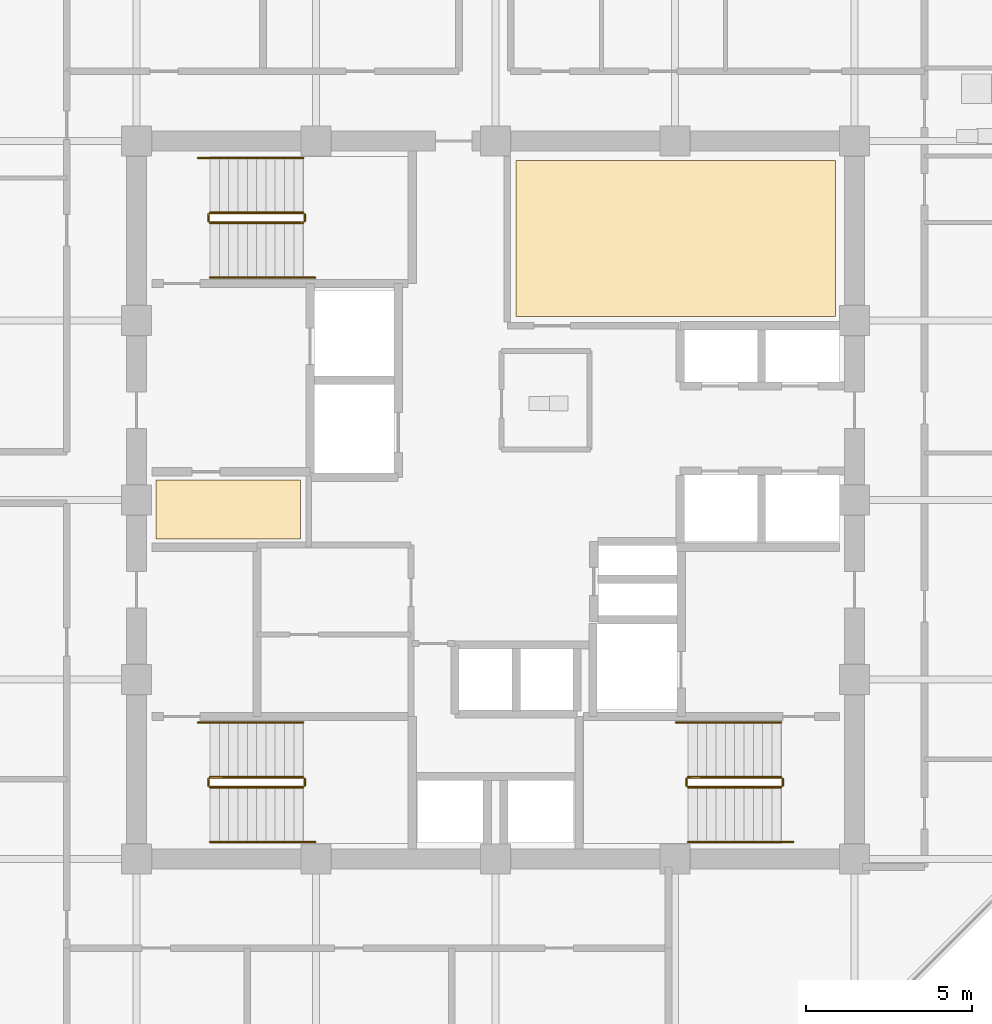
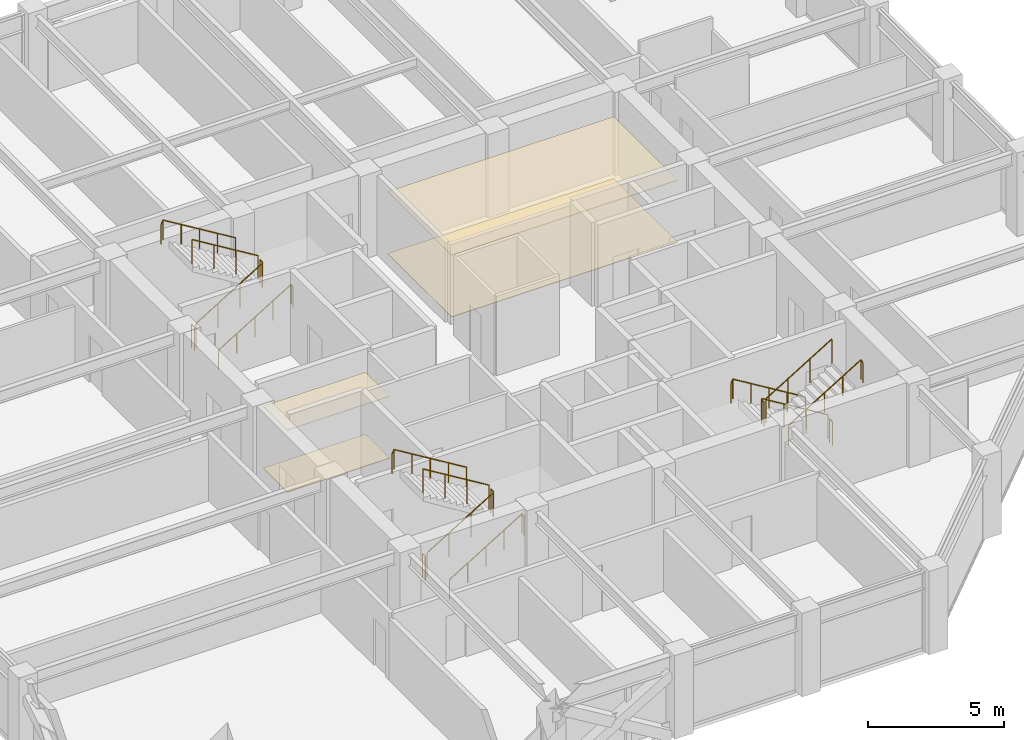
# One storey, part 31 of 32: 18 railings, 4 coverings.
"""IFC4 building model written with IfcOpenShell, lengths in metres."""

from ifc_helpers import new_model, si_unit, direction, frame, origin, origin_2d, place, context, subcontext, project, spatial, polyline, circle, outline, extrude, material, layer, layer_set, type_object, element, save


model = new_model("IFC4")

# Units and contexts
model_context = context("Model", 3, precision=1e-05, world=origin(), true_north=direction((0.0, 1.0)))
body_context = subcontext(model_context, "Body", "Model", "MODEL_VIEW")
ifc_project = project(units=[si_unit("LENGTHUNIT", "METRE"), si_unit("AREAUNIT", "SQUARE_METRE"), si_unit("VOLUMEUNIT", "CUBIC_METRE"), si_unit("PLANEANGLEUNIT", "RADIAN"), si_unit("MASSUNIT", "GRAM", prefix="KILO")], contexts=[model_context])

# Site, building, storey
site_placement = place(None, origin())
site = spatial("IfcSite", under=ifc_project, at=site_placement, CompositionType="ELEMENT")
building_placement = place(site_placement, origin())
building = spatial("IfcBuilding", under=site, at=building_placement, Name="Surkhivell Harbour Commons", CompositionType="ELEMENT")
storey_placement = place(building_placement, frame((0.0, 0.0, 216.0)))
storey = spatial("IfcBuildingStorey", under=building, at=storey_placement, Name="L56", CompositionType="ELEMENT", Elevation=216.0)

# Coverings
ifc_material_1 = material(Name="Perforated acoustic mineral-fibre ceiling tile", Category="other")
ifc_layer_1 = layer(ifc_material_1, 0.02490234375)
ifc_layer_set_1 = layer_set([ifc_layer_1], Name="Perforated acoustic mineral-fibre ceiling tile")
covering_type_1 = type_object("IfcCoveringType", Name="COV-CEIL-AC", PredefinedType="CEILING", material=ifc_layer_set_1)
covering_1_placement = place(storey_placement, frame((0.0, 0.0, 2.77490234375)))
element("IfcCovering", 1, at=covering_1_placement, inside=storey, type_object=covering_type_1, Name="L56 Suspended Acoustic Ceiling 1", PredefinedType="CEILING", context=body_context, shape_type="SweptSolid", body=[
    extrude(outline(polyline([(-10.219970703125, -1.179931640625), (-5.8701171875, -1.179931640625), (-5.8701171875, 0.60009765625), (-10.219970703125, 0.60009765625), (-10.219970703125, -1.179931640625)])), origin(), (0.0, 0.0, 1.0), 0.025146484375),
])
ifc_material_2 = material(Name="Moisture-resistant gypsum acoustic ceiling board", Category="other")
ifc_layer_2 = layer(ifc_material_2, 0.030029296875)
ifc_layer_set_2 = layer_set([ifc_layer_2], Name="Moisture-resistant gypsum acoustic ceiling board")
covering_type_2 = type_object("IfcCoveringType", Name="COV-CEIL-GYP", PredefinedType="CEILING", material=ifc_layer_set_2)
covering_2_placement = place(storey_placement, frame((0.0, 0.0, 2.77001953125)))
element("IfcCovering", 2, at=covering_2_placement, inside=storey, type_object=covering_type_2, Name="L56 Suspended Acoustic Ceiling 2", PredefinedType="CEILING", context=body_context, shape_type="SweptSolid", body=[
    extrude(outline(polyline([(0.6201171875, 5.52001953125), (10.219970703125, 5.52001953125), (10.219970703125, 10.219970703125), (0.6201171875, 10.219970703125), (0.6201171875, 5.52001953125)])), origin(), (0.0, 0.0, 1.0), 0.030029296875),
])
ifc_material_3 = material(Name="Engineered acoustic oak timber flooring", Category="wood")
ifc_layer_3 = layer(ifc_material_3, 0.02001953125)
ifc_layer_set_3 = layer_set([ifc_layer_3], Name="Engineered acoustic oak timber flooring")
covering_type_3 = type_object("IfcCoveringType", Name="COV-FLR-TIM", PredefinedType="FLOORING", material=ifc_layer_set_3)
covering_3_placement = place(storey_placement, origin())
element("IfcCovering", 3, at=covering_3_placement, inside=storey, type_object=covering_type_3, Name="L56 Interior Floor Finish 1", PredefinedType="FLOORING", context=body_context, shape_type="SweptSolid", body=[
    extrude(outline(polyline([(-10.219970703125, -1.179931640625), (-5.8701171875, -1.179931640625), (-5.8701171875, 0.60009765625), (-10.219970703125, 0.60009765625), (-10.219970703125, -1.179931640625)])), origin(), (0.0, 0.0, 1.0), 0.02001953125),
])
covering_4_placement = place(storey_placement, origin())
element("IfcCovering", 4, at=covering_4_placement, inside=storey, type_object=covering_type_3, Name="L56 Interior Floor Finish 2", PredefinedType="FLOORING", context=body_context, shape_type="SweptSolid", body=[
    extrude(outline(polyline([(0.6201171875, 5.52001953125), (10.219970703125, 5.52001953125), (10.219970703125, 10.219970703125), (0.6201171875, 10.219970703125), (0.6201171875, 5.52001953125)])), origin(), (0.0, 0.0, 1.0), 0.02001953125),
])

# Railings
ifc_material_4 = material(Name="Galvanised and painted steel S355 guard rail", Category="steel")
railing_type_1 = type_object("IfcRailingType", Name="RAL-ST-GRD1100", PredefinedType="GUARDRAIL", material=ifc_material_4)
railing_1_placement = place(storey_placement, frame((-8.590087890625, 8.340087890625, 0.17041015625)))
element("IfcRailing", 5, at=railing_1_placement, inside=storey, type_object=railing_type_1, Name="L56 ST1 stair guard 1", PredefinedType="GUARDRAIL", context=body_context, shape_type="SweptSolid", body=[
    extrude(circle(Radius=0.02392578125, at=origin_2d()), frame((0.0, 0.0, 1.076171875), z_axis=(0.854169791009, 0.0, 0.51999420009), x_axis=(0.0, 1.0, 0.0)), (0.0, 0.0, 1.0), 3.278076171875),
    extrude(circle(Radius=0.02099609375, at=origin_2d()), origin(), (0.0, 0.0, 1.0), 1.052001953125),
    extrude(circle(Radius=0.02099609375, at=origin_2d()), frame((0.933349609375, 0.0, 0.568115234375)), (0.0, 0.0, 1.0), 1.052001953125),
    extrude(circle(Radius=0.02099609375, at=origin_2d()), frame((1.86669921875, 0.0, 1.136474609375)), (0.0, 0.0, 1.0), 1.052001953125),
    extrude(circle(Radius=0.02099609375, at=origin_2d()), frame((2.800048828125, 0.0, 1.70458984375)), (0.0, 0.0, 1.0), 1.052001953125),
])
railing_2_placement = place(storey_placement, frame((-5.739990234375, 8.389892578125, 1.875)))
element("IfcRailing", 6, at=railing_2_placement, inside=storey, type_object=railing_type_1, Name="L56 ST1 stair guard 2", PredefinedType="GUARDRAIL", context=body_context, shape_type="SweptSolid", body=[
    extrude(circle(Radius=0.02392578125, at=origin_2d()), frame((0.0, 0.0, 1.076171875), z_axis=(0.0, 1.0, 0.0), x_axis=(-1.0, 0.0, 0.0)), (0.0, 0.0, 1.0), 0.2001953125),
    extrude(circle(Radius=0.02099609375, at=origin_2d()), origin(), (0.0, 0.0, 1.0), 1.052001953125),
    extrude(circle(Radius=0.02099609375, at=origin_2d()), frame((0.0, 0.2001953125, 0.0)), (0.0, 0.0, 1.0), 1.052001953125),
])
railing_3_placement = place(storey_placement, frame((-5.7900390625, 8.639892578125, 2.04541015625)))
element("IfcRailing", 7, at=railing_3_placement, inside=storey, type_object=railing_type_1, Name="L56 ST1 stair guard 3", PredefinedType="GUARDRAIL", context=body_context, shape_type="SweptSolid", body=[
    extrude(circle(Radius=0.02392578125, at=origin_2d()), frame((0.0, 0.0, 1.076171875), z_axis=(-0.854169791009, 0.0, 0.51999420009), x_axis=(0.0, -1.0, 0.0)), (0.0, 0.0, 1.0), 3.278076171875),
    extrude(circle(Radius=0.02099609375, at=origin_2d()), origin(), (0.0, 0.0, 1.0), 1.052001953125),
    extrude(circle(Radius=0.02099609375, at=origin_2d()), frame((-0.933349609375, 0.0, 0.568115234375)), (0.0, 0.0, 1.0), 1.052001953125),
    extrude(circle(Radius=0.02099609375, at=origin_2d()), frame((-1.86669921875, 0.0, 1.136474609375)), (0.0, 0.0, 1.0), 1.052001953125),
    extrude(circle(Radius=0.02099609375, at=origin_2d()), frame((-2.800048828125, 0.0, 1.70458984375)), (0.0, 0.0, 1.0), 1.052001953125),
])
railing_4_placement = place(storey_placement, frame((-8.639892578125, 8.389892578125, 0.0)))
element("IfcRailing", 8, at=railing_4_placement, inside=storey, type_object=railing_type_1, Name="L56 ST1 stair guard 4", PredefinedType="GUARDRAIL", context=body_context, shape_type="SweptSolid", body=[
    extrude(circle(Radius=0.02392578125, at=origin_2d()), frame((0.0, 0.0, 1.076171875), z_axis=(0.0, 1.0, 0.0), x_axis=(-1.0, 0.0, 0.0)), (0.0, 0.0, 1.0), 0.2001953125),
    extrude(circle(Radius=0.02099609375, at=origin_2d()), origin(), (0.0, 0.0, 1.0), 1.052001953125),
    extrude(circle(Radius=0.02099609375, at=origin_2d()), frame((0.0, 0.2001953125, 0.0)), (0.0, 0.0, 1.0), 1.052001953125),
])
railing_5_placement = place(storey_placement, frame((8.590087890625, -8.340087890625, 0.17041015625)))
element("IfcRailing", 9, at=railing_5_placement, inside=storey, type_object=railing_type_1, Name="L56 ST2 stair guard 1", PredefinedType="GUARDRAIL", context=body_context, shape_type="SweptSolid", body=[
    extrude(circle(Radius=0.02392578125, at=origin_2d()), frame((0.0, 0.0, 1.076171875), z_axis=(-0.854169791009, 0.0, 0.51999420009), x_axis=(0.0, -1.0, 0.0)), (0.0, 0.0, 1.0), 3.278076171875),
    extrude(circle(Radius=0.02099609375, at=origin_2d()), origin(), (0.0, 0.0, 1.0), 1.052001953125),
    extrude(circle(Radius=0.02099609375, at=origin_2d()), frame((-0.933349609375, 0.0, 0.568115234375)), (0.0, 0.0, 1.0), 1.052001953125),
    extrude(circle(Radius=0.02099609375, at=origin_2d()), frame((-1.86669921875, 0.0, 1.136474609375)), (0.0, 0.0, 1.0), 1.052001953125),
    extrude(circle(Radius=0.02099609375, at=origin_2d()), frame((-2.800048828125, 0.0, 1.70458984375)), (0.0, 0.0, 1.0), 1.052001953125),
])
railing_6_placement = place(storey_placement, frame((5.739990234375, -8.389892578125, 1.875)))
element("IfcRailing", 10, at=railing_6_placement, inside=storey, type_object=railing_type_1, Name="L56 ST2 stair guard 2", PredefinedType="GUARDRAIL", context=body_context, shape_type="SweptSolid", body=[
    extrude(circle(Radius=0.02392578125, at=origin_2d()), frame((0.0, 0.0, 1.076171875), z_axis=(0.0, -1.0, 0.0), x_axis=(1.0, 0.0, 0.0)), (0.0, 0.0, 1.0), 0.2001953125),
    extrude(circle(Radius=0.02099609375, at=origin_2d()), origin(), (0.0, 0.0, 1.0), 1.052001953125),
    extrude(circle(Radius=0.02099609375, at=origin_2d()), frame((0.0, -0.2001953125, 0.0)), (0.0, 0.0, 1.0), 1.052001953125),
])
railing_7_placement = place(storey_placement, frame((5.7900390625, -8.639892578125, 2.04541015625)))
element("IfcRailing", 11, at=railing_7_placement, inside=storey, type_object=railing_type_1, Name="L56 ST2 stair guard 3", PredefinedType="GUARDRAIL", context=body_context, shape_type="SweptSolid", body=[
    extrude(circle(Radius=0.02392578125, at=origin_2d()), frame((0.0, 0.0, 1.076171875), z_axis=(0.854169791009, 0.0, 0.51999420009), x_axis=(0.0, 1.0, 0.0)), (0.0, 0.0, 1.0), 3.278076171875),
    extrude(circle(Radius=0.02099609375, at=origin_2d()), origin(), (0.0, 0.0, 1.0), 1.052001953125),
    extrude(circle(Radius=0.02099609375, at=origin_2d()), frame((0.933349609375, 0.0, 0.568115234375)), (0.0, 0.0, 1.0), 1.052001953125),
    extrude(circle(Radius=0.02099609375, at=origin_2d()), frame((1.86669921875, 0.0, 1.136474609375)), (0.0, 0.0, 1.0), 1.052001953125),
    extrude(circle(Radius=0.02099609375, at=origin_2d()), frame((2.800048828125, 0.0, 1.70458984375)), (0.0, 0.0, 1.0), 1.052001953125),
])
railing_8_placement = place(storey_placement, frame((8.639892578125, -8.389892578125, 0.0)))
element("IfcRailing", 12, at=railing_8_placement, inside=storey, type_object=railing_type_1, Name="L56 ST2 stair guard 4", PredefinedType="GUARDRAIL", context=body_context, shape_type="SweptSolid", body=[
    extrude(circle(Radius=0.02392578125, at=origin_2d()), frame((0.0, 0.0, 1.076171875), z_axis=(0.0, -1.0, 0.0), x_axis=(1.0, 0.0, 0.0)), (0.0, 0.0, 1.0), 0.2001953125),
    extrude(circle(Radius=0.02099609375, at=origin_2d()), origin(), (0.0, 0.0, 1.0), 1.052001953125),
    extrude(circle(Radius=0.02099609375, at=origin_2d()), frame((0.0, -0.2001953125, 0.0)), (0.0, 0.0, 1.0), 1.052001953125),
])
railing_9_placement = place(storey_placement, frame((-8.590087890625, -8.639892578125, 0.17041015625)))
element("IfcRailing", 13, at=railing_9_placement, inside=storey, type_object=railing_type_1, Name="L56 ST3 stair guard 1", PredefinedType="GUARDRAIL", context=body_context, shape_type="SweptSolid", body=[
    extrude(circle(Radius=0.02392578125, at=origin_2d()), frame((0.0, 0.0, 1.076171875), z_axis=(0.854169791009, 0.0, 0.51999420009), x_axis=(0.0, 1.0, 0.0)), (0.0, 0.0, 1.0), 3.278076171875),
    extrude(circle(Radius=0.02099609375, at=origin_2d()), origin(), (0.0, 0.0, 1.0), 1.052001953125),
    extrude(circle(Radius=0.02099609375, at=origin_2d()), frame((0.933349609375, 0.0, 0.568115234375)), (0.0, 0.0, 1.0), 1.052001953125),
    extrude(circle(Radius=0.02099609375, at=origin_2d()), frame((1.86669921875, 0.0, 1.136474609375)), (0.0, 0.0, 1.0), 1.052001953125),
    extrude(circle(Radius=0.02099609375, at=origin_2d()), frame((2.800048828125, 0.0, 1.70458984375)), (0.0, 0.0, 1.0), 1.052001953125),
])
railing_10_placement = place(storey_placement, frame((-5.739990234375, -8.590087890625, 1.875)))
element("IfcRailing", 14, at=railing_10_placement, inside=storey, type_object=railing_type_1, Name="L56 ST3 stair guard 2", PredefinedType="GUARDRAIL", context=body_context, shape_type="SweptSolid", body=[
    extrude(circle(Radius=0.02392578125, at=origin_2d()), frame((0.0, 0.0, 1.076171875), z_axis=(0.0, 1.0, 0.0), x_axis=(-1.0, 0.0, 0.0)), (0.0, 0.0, 1.0), 0.2001953125),
    extrude(circle(Radius=0.02099609375, at=origin_2d()), origin(), (0.0, 0.0, 1.0), 1.052001953125),
    extrude(circle(Radius=0.02099609375, at=origin_2d()), frame((0.0, 0.2001953125, 0.0)), (0.0, 0.0, 1.0), 1.052001953125),
])
railing_11_placement = place(storey_placement, frame((-5.7900390625, -8.340087890625, 2.04541015625)))
element("IfcRailing", 15, at=railing_11_placement, inside=storey, type_object=railing_type_1, Name="L56 ST3 stair guard 3", PredefinedType="GUARDRAIL", context=body_context, shape_type="SweptSolid", body=[
    extrude(circle(Radius=0.02392578125, at=origin_2d()), frame((0.0, 0.0, 1.076171875), z_axis=(-0.854169791009, 0.0, 0.51999420009), x_axis=(0.0, -1.0, 0.0)), (0.0, 0.0, 1.0), 3.278076171875),
    extrude(circle(Radius=0.02099609375, at=origin_2d()), origin(), (0.0, 0.0, 1.0), 1.052001953125),
    extrude(circle(Radius=0.02099609375, at=origin_2d()), frame((-0.933349609375, 0.0, 0.568115234375)), (0.0, 0.0, 1.0), 1.052001953125),
    extrude(circle(Radius=0.02099609375, at=origin_2d()), frame((-1.86669921875, 0.0, 1.136474609375)), (0.0, 0.0, 1.0), 1.052001953125),
    extrude(circle(Radius=0.02099609375, at=origin_2d()), frame((-2.800048828125, 0.0, 1.70458984375)), (0.0, 0.0, 1.0), 1.052001953125),
])
railing_12_placement = place(storey_placement, frame((-8.639892578125, -8.590087890625, 0.0)))
element("IfcRailing", 16, at=railing_12_placement, inside=storey, type_object=railing_type_1, Name="L56 ST3 stair guard 4", PredefinedType="GUARDRAIL", context=body_context, shape_type="SweptSolid", body=[
    extrude(circle(Radius=0.02392578125, at=origin_2d()), frame((0.0, 0.0, 1.076171875), z_axis=(0.0, 1.0, 0.0), x_axis=(-1.0, 0.0, 0.0)), (0.0, 0.0, 1.0), 0.2001953125),
    extrude(circle(Radius=0.02099609375, at=origin_2d()), origin(), (0.0, 0.0, 1.0), 1.052001953125),
    extrude(circle(Radius=0.02099609375, at=origin_2d()), frame((0.0, 0.2001953125, 0.0)), (0.0, 0.0, 1.0), 1.052001953125),
])
ifc_material_5 = material(Name="Brushed stainless steel S355 handrail", Category="steel")
railing_type_2 = type_object("IfcRailingType", Name="RAL-ST-HND900", PredefinedType="HANDRAIL", material=ifc_material_5)
railing_13_placement = place(storey_placement, frame((-8.590087890625, 6.68994140625, 0.17041015625)))
element("IfcRailing", 17, at=railing_13_placement, inside=storey, type_object=railing_type_2, Name="L56 ST1 stair handrail 1", PredefinedType="HANDRAIL", context=body_context, shape_type="SweptSolid", body=[
    extrude(circle(Radius=0.02392578125, at=origin_2d()), frame((0.0, 0.0, 0.8759765625), z_axis=(0.854177636135, 0.0, 0.519981313056), x_axis=(0.0, 1.0, 0.0)), (0.0, 0.0, 1.0), 3.60595703125),
    extrude(circle(Radius=0.02392578125, at=origin_2d()), frame((3.080078125, 0.0, 2.7509765625), z_axis=(0.425297416671, 0.0, -0.905053648892), x_axis=(0.0, 1.0, 0.0)), (0.0, 0.0, 1.0), 0.188232421875),
    extrude(circle(Radius=0.02099609375, at=origin_2d()), origin(), (0.0, 0.0, 1.0), 0.851806640625),
    extrude(circle(Radius=0.02099609375, at=origin_2d()), frame((0.77001953125, 0.0, 0.46875)), (0.0, 0.0, 1.0), 0.851806640625),
    extrude(circle(Radius=0.02099609375, at=origin_2d()), frame((1.5400390625, 0.0, 0.9375)), (0.0, 0.0, 1.0), 0.851806640625),
    extrude(circle(Radius=0.02099609375, at=origin_2d()), frame((2.31005859375, 0.0, 1.40625)), (0.0, 0.0, 1.0), 0.851806640625),
    extrude(circle(Radius=0.02099609375, at=origin_2d()), frame((3.080078125, 0.0, 1.875)), (0.0, 0.0, 1.0), 0.851806640625),
    extrude(circle(Radius=0.02099609375, at=origin_2d()), frame((3.16015625, 0.0, 1.70458984375)), (0.0, 0.0, 1.0), 0.851806640625),
])
railing_14_placement = place(storey_placement, frame((-5.7900390625, 10.2900390625, 2.04541015625)))
element("IfcRailing", 18, at=railing_14_placement, inside=storey, type_object=railing_type_2, Name="L56 ST1 stair handrail 2", PredefinedType="HANDRAIL", context=body_context, shape_type="SweptSolid", body=[
    extrude(circle(Radius=0.02392578125, at=origin_2d()), frame((0.0, 0.0, 0.8759765625), z_axis=(-0.854177636135, 0.0, 0.519981313056), x_axis=(0.0, -1.0, 0.0)), (0.0, 0.0, 1.0), 3.60595703125),
    extrude(circle(Radius=0.02392578125, at=origin_2d()), frame((-3.080078125, 0.0, 2.7509765625), z_axis=(-0.424234432967, 0.0, -0.905552398199), x_axis=(0.0, -1.0, 0.0)), (0.0, 0.0, 1.0), 0.188232421875),
    extrude(circle(Radius=0.02099609375, at=origin_2d()), origin(), (0.0, 0.0, 1.0), 0.851806640625),
    extrude(circle(Radius=0.02099609375, at=origin_2d()), frame((-0.77001953125, 0.0, 0.46875)), (0.0, 0.0, 1.0), 0.851806640625),
    extrude(circle(Radius=0.02099609375, at=origin_2d()), frame((-1.5400390625, 0.0, 0.9375)), (0.0, 0.0, 1.0), 0.851806640625),
    extrude(circle(Radius=0.02099609375, at=origin_2d()), frame((-2.31005859375, 0.0, 1.40625)), (0.0, 0.0, 1.0), 0.851806640625),
    extrude(circle(Radius=0.02099609375, at=origin_2d()), frame((-3.080078125, 0.0, 1.875)), (0.0, 0.0, 1.0), 0.851806640625),
    extrude(circle(Radius=0.02099609375, at=origin_2d()), frame((-3.159912109375, 0.0, 1.70458984375)), (0.0, 0.0, 1.0), 0.851806640625),
])
railing_15_placement = place(storey_placement, frame((8.590087890625, -6.68994140625, 0.17041015625)))
element("IfcRailing", 19, at=railing_15_placement, inside=storey, type_object=railing_type_2, Name="L56 ST2 stair handrail 1", PredefinedType="HANDRAIL", context=body_context, shape_type="SweptSolid", body=[
    extrude(circle(Radius=0.02392578125, at=origin_2d()), frame((0.0, 0.0, 0.8759765625), z_axis=(-0.854177636135, 0.0, 0.519981313056), x_axis=(0.0, -1.0, 0.0)), (0.0, 0.0, 1.0), 3.60595703125),
    extrude(circle(Radius=0.02392578125, at=origin_2d()), frame((-3.080078125, 0.0, 2.7509765625), z_axis=(-0.425297416671, 0.0, -0.905053648892), x_axis=(0.0, -1.0, 0.0)), (0.0, 0.0, 1.0), 0.188232421875),
    extrude(circle(Radius=0.02099609375, at=origin_2d()), origin(), (0.0, 0.0, 1.0), 0.851806640625),
    extrude(circle(Radius=0.02099609375, at=origin_2d()), frame((-0.77001953125, 0.0, 0.46875)), (0.0, 0.0, 1.0), 0.851806640625),
    extrude(circle(Radius=0.02099609375, at=origin_2d()), frame((-1.5400390625, 0.0, 0.9375)), (0.0, 0.0, 1.0), 0.851806640625),
    extrude(circle(Radius=0.02099609375, at=origin_2d()), frame((-2.31005859375, 0.0, 1.40625)), (0.0, 0.0, 1.0), 0.851806640625),
    extrude(circle(Radius=0.02099609375, at=origin_2d()), frame((-3.080078125, 0.0, 1.875)), (0.0, 0.0, 1.0), 0.851806640625),
    extrude(circle(Radius=0.02099609375, at=origin_2d()), frame((-3.16015625, 0.0, 1.70458984375)), (0.0, 0.0, 1.0), 0.851806640625),
])
railing_16_placement = place(storey_placement, frame((5.7900390625, -10.2900390625, 2.04541015625)))
element("IfcRailing", 20, at=railing_16_placement, inside=storey, type_object=railing_type_2, Name="L56 ST2 stair handrail 2", PredefinedType="HANDRAIL", context=body_context, shape_type="SweptSolid", body=[
    extrude(circle(Radius=0.02392578125, at=origin_2d()), frame((0.0, 0.0, 0.8759765625), z_axis=(0.854177636135, 0.0, 0.519981313056), x_axis=(0.0, 1.0, 0.0)), (0.0, 0.0, 1.0), 3.60595703125),
    extrude(circle(Radius=0.02392578125, at=origin_2d()), frame((3.080078125, 0.0, 2.7509765625), z_axis=(0.424234432967, 0.0, -0.905552398199), x_axis=(0.0, 1.0, 0.0)), (0.0, 0.0, 1.0), 0.188232421875),
    extrude(circle(Radius=0.02099609375, at=origin_2d()), origin(), (0.0, 0.0, 1.0), 0.851806640625),
    extrude(circle(Radius=0.02099609375, at=origin_2d()), frame((0.77001953125, 0.0, 0.46875)), (0.0, 0.0, 1.0), 0.851806640625),
    extrude(circle(Radius=0.02099609375, at=origin_2d()), frame((1.5400390625, 0.0, 0.9375)), (0.0, 0.0, 1.0), 0.851806640625),
    extrude(circle(Radius=0.02099609375, at=origin_2d()), frame((2.31005859375, 0.0, 1.40625)), (0.0, 0.0, 1.0), 0.851806640625),
    extrude(circle(Radius=0.02099609375, at=origin_2d()), frame((3.080078125, 0.0, 1.875)), (0.0, 0.0, 1.0), 0.851806640625),
    extrude(circle(Radius=0.02099609375, at=origin_2d()), frame((3.159912109375, 0.0, 1.70458984375)), (0.0, 0.0, 1.0), 0.851806640625),
])
railing_17_placement = place(storey_placement, frame((-8.590087890625, -10.2900390625, 0.17041015625)))
element("IfcRailing", 21, at=railing_17_placement, inside=storey, type_object=railing_type_2, Name="L56 ST3 stair handrail 1", PredefinedType="HANDRAIL", context=body_context, shape_type="SweptSolid", body=[
    extrude(circle(Radius=0.02392578125, at=origin_2d()), frame((0.0, 0.0, 0.8759765625), z_axis=(0.854177636135, 0.0, 0.519981313056), x_axis=(0.0, 1.0, 0.0)), (0.0, 0.0, 1.0), 3.60595703125),
    extrude(circle(Radius=0.02392578125, at=origin_2d()), frame((3.080078125, 0.0, 2.7509765625), z_axis=(0.425297416671, 0.0, -0.905053648892), x_axis=(0.0, 1.0, 0.0)), (0.0, 0.0, 1.0), 0.188232421875),
    extrude(circle(Radius=0.02099609375, at=origin_2d()), origin(), (0.0, 0.0, 1.0), 0.851806640625),
    extrude(circle(Radius=0.02099609375, at=origin_2d()), frame((0.77001953125, 0.0, 0.46875)), (0.0, 0.0, 1.0), 0.851806640625),
    extrude(circle(Radius=0.02099609375, at=origin_2d()), frame((1.5400390625, 0.0, 0.9375)), (0.0, 0.0, 1.0), 0.851806640625),
    extrude(circle(Radius=0.02099609375, at=origin_2d()), frame((2.31005859375, 0.0, 1.40625)), (0.0, 0.0, 1.0), 0.851806640625),
    extrude(circle(Radius=0.02099609375, at=origin_2d()), frame((3.080078125, 0.0, 1.875)), (0.0, 0.0, 1.0), 0.851806640625),
    extrude(circle(Radius=0.02099609375, at=origin_2d()), frame((3.16015625, 0.0, 1.70458984375)), (0.0, 0.0, 1.0), 0.851806640625),
])
railing_18_placement = place(storey_placement, frame((-5.7900390625, -6.68994140625, 2.04541015625)))
element("IfcRailing", 22, at=railing_18_placement, inside=storey, type_object=railing_type_2, Name="L56 ST3 stair handrail 2", PredefinedType="HANDRAIL", context=body_context, shape_type="SweptSolid", body=[
    extrude(circle(Radius=0.02392578125, at=origin_2d()), frame((0.0, 0.0, 0.8759765625), z_axis=(-0.854177636135, 0.0, 0.519981313056), x_axis=(0.0, -1.0, 0.0)), (0.0, 0.0, 1.0), 3.60595703125),
    extrude(circle(Radius=0.02392578125, at=origin_2d()), frame((-3.080078125, 0.0, 2.7509765625), z_axis=(-0.424234432967, 0.0, -0.905552398199), x_axis=(0.0, -1.0, 0.0)), (0.0, 0.0, 1.0), 0.188232421875),
    extrude(circle(Radius=0.02099609375, at=origin_2d()), origin(), (0.0, 0.0, 1.0), 0.851806640625),
    extrude(circle(Radius=0.02099609375, at=origin_2d()), frame((-0.77001953125, 0.0, 0.46875)), (0.0, 0.0, 1.0), 0.851806640625),
    extrude(circle(Radius=0.02099609375, at=origin_2d()), frame((-1.5400390625, 0.0, 0.9375)), (0.0, 0.0, 1.0), 0.851806640625),
    extrude(circle(Radius=0.02099609375, at=origin_2d()), frame((-2.31005859375, 0.0, 1.40625)), (0.0, 0.0, 1.0), 0.851806640625),
    extrude(circle(Radius=0.02099609375, at=origin_2d()), frame((-3.080078125, 0.0, 1.875)), (0.0, 0.0, 1.0), 0.851806640625),
    extrude(circle(Radius=0.02099609375, at=origin_2d()), frame((-3.159912109375, 0.0, 1.70458984375)), (0.0, 0.0, 1.0), 0.851806640625),
])

save(model, "model.ifc")
